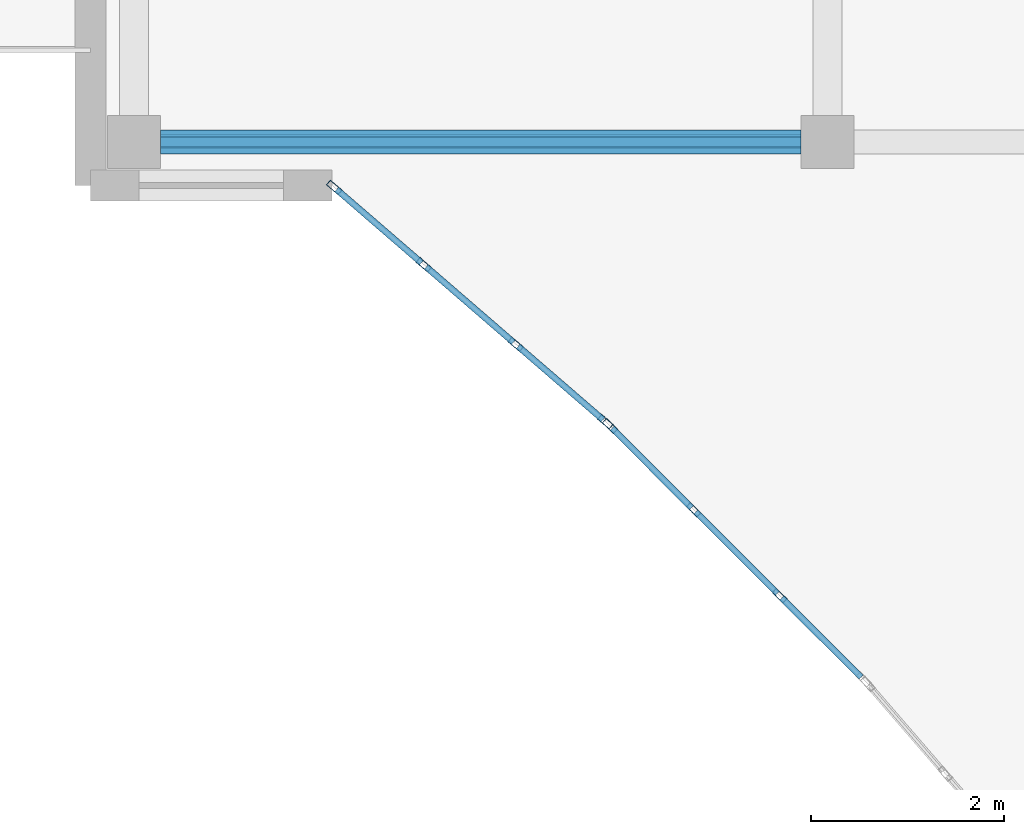
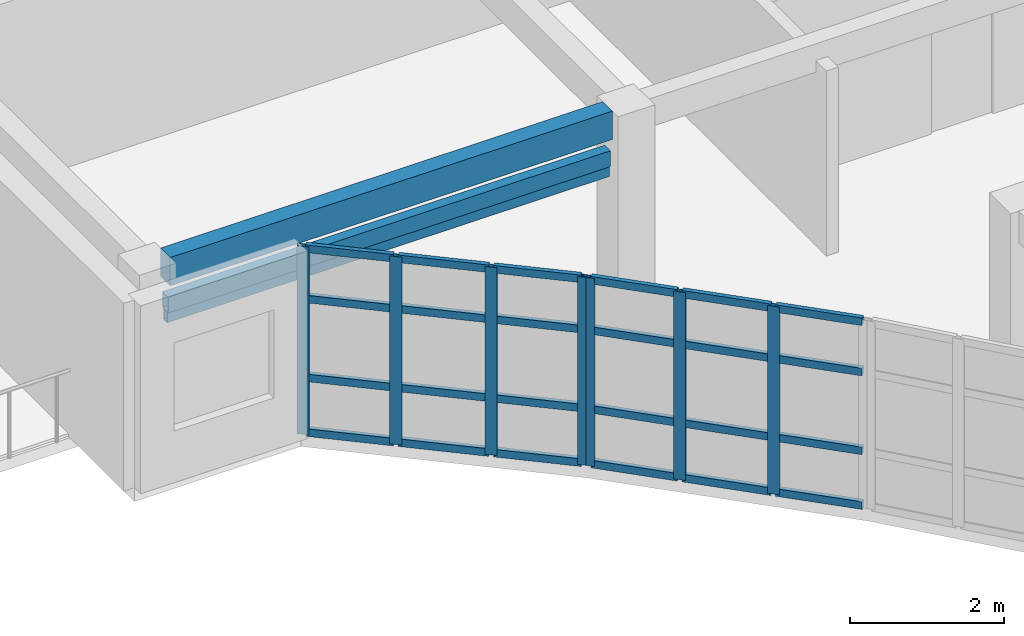
# One storey, part 7 of 49: 33 members, 1 beam, 2 elements without a shape of their own.
"""IFC4 building model written with IfcOpenShell, lengths in metres."""

from ifc_helpers import new_model, si_unit, direction, frame, origin, origin_2d, place, context, subcontext, project, spatial, rectangle, hollow_rectangle, extrude, material, layer, layer_set, material_profile, profile_set, type_object, element, aggregate, save


model = new_model("IFC4")

# Units and contexts
model_context = context("Model", 3, precision=1e-05, world=origin(), true_north=direction((0.0, 1.0)))
body_context = subcontext(model_context, "Body", "Model", "MODEL_VIEW")
ifc_project = project(units=[si_unit("LENGTHUNIT", "METRE"), si_unit("AREAUNIT", "SQUARE_METRE"), si_unit("VOLUMEUNIT", "CUBIC_METRE"), si_unit("PLANEANGLEUNIT", "RADIAN"), si_unit("MASSUNIT", "GRAM", prefix="KILO")], contexts=[model_context])

# Site, building, storey
site_placement = place(None, origin())
site = spatial("IfcSite", under=ifc_project, at=site_placement, CompositionType="ELEMENT")
building_placement = place(site_placement, origin())
building = spatial("IfcBuilding", under=site, at=building_placement, Name="Keldmere Railside Commons", CompositionType="ELEMENT")
storey_placement = place(building_placement, frame((0.0, 0.0, 29.760009765625)))
storey = spatial("IfcBuildingStorey", under=building, at=storey_placement, Name="L09", CompositionType="ELEMENT", Elevation=29.760009765625)

# Member
ifc_material_1 = material(Name="Steel F-36 (S355)", Category="steel")
ifc_material_profile_1 = material_profile(ifc_material_1, hollow_rectangle(XDim=0.14990234375, YDim=0.25, WallThickness=0.010009765625, at=origin_2d()), Name="RHS-250x150x10")
ifc_profile_set_1 = profile_set([ifc_material_profile_1], Name="Steel F-36 (S355)")
member_type_1 = type_object("IfcMemberType", Name="Balcony Continuous Planted Trough RHS250x150", PredefinedType="CHORD", material=ifc_profile_set_1)
member_1_placement = place(storey_placement, frame((94.22509765625, 100.449951171875, 2.4150390625), z_axis=(1.0, 0.0, 0.0), x_axis=(0.0, 1.0, 0.0)))
element("IfcMember", 1, at=member_1_placement, inside=storey, type_object=member_type_1, Name="PLT-1 MEM-BPLT-0945", PredefinedType="CHORD", context=body_context, shape_type="SweptSolid", body=[
    extrude(hollow_rectangle(XDim=0.14990234375, YDim=0.25, WallThickness=0.010009765625, at=origin_2d()), origin(), (0.0, 0.0, 1.0), 6.6328125),
])

# Beam
ifc_material_2 = material(Name="Architectural Precast Concrete H-35 (C35/45)", Category="concrete")
ifc_material_profile_2 = material_profile(ifc_material_2, rectangle(XDim=0.25, YDim=0.449951171875, at=origin_2d()), Name="RC-250x450")
ifc_profile_set_2 = profile_set([ifc_material_profile_2], Name="Architectural Precast Concrete H-35 (C35/45)")
beam_type = type_object("IfcBeamType", Name="Perimeter Precast Spandrel Beam 250x450", PredefinedType="SPANDREL", material=ifc_profile_set_2)
beam_placement = place(storey_placement, frame((94.22509765625, 100.449951171875, 2.97509765625), z_axis=(1.0, 0.0, 0.0), x_axis=(0.0, 1.0, 0.0)))
element("IfcBeam", 2, at=beam_placement, inside=storey, type_object=beam_type, Name="SPB-1 BM-L09-2295", PredefinedType="SPANDREL", context=body_context, shape_type="SweptSolid", body=[
    extrude(rectangle(XDim=0.25, YDim=0.449951171875, at=origin_2d()), origin(), (0.0, 0.0, 1.0), 6.6328125),
])

# Member
ifc_material_profile_3 = material_profile(ifc_material_1, hollow_rectangle(XDim=0.10009765625, YDim=0.159912109375, WallThickness=0.008056640625, at=origin_2d()), Name="RHS-160x100x8")
ifc_profile_set_3 = profile_set([ifc_material_profile_3], Name="Steel F-36 (S355)")
member_type_2 = type_object("IfcMemberType", Name="Solar Brise-Soleil Louvre Fin RHS160x100", PredefinedType="STRUT", material=ifc_profile_set_3)
member_2_placement = place(storey_placement, frame((94.22509765625, 100.449951171875, 2.199951171875), z_axis=(1.0, 0.0, 0.0), x_axis=(0.0, 1.0, 0.0)))
element("IfcMember", 3, at=member_2_placement, inside=storey, type_object=member_type_2, Name="BSF-1 MEM-BSF-0946", PredefinedType="STRUT", context=body_context, shape_type="SweptSolid", body=[
    extrude(hollow_rectangle(XDim=0.10009765625, YDim=0.159912109375, WallThickness=0.008056640625, at=origin_2d()), origin(), (0.0, 0.0, 1.0), 6.6328125),
])

# Curtain wall, members
ifc_material_3 = material(Name="Thermally Broken Aluminium", Category="aluminium")
ifc_layer_1 = layer(ifc_material_3, 0.159912109375, Name="Court Chord Wintergarden CW 4800x2850")
ifc_layer_set_1 = layer_set([ifc_layer_1], Name="Thermally Broken Aluminium")
curtain_wall_type_1 = type_object("IfcCurtainWallType", Name="Court Chord Wintergarden CW 4800x2850", PredefinedType="NOTDEFINED", material=ifc_layer_set_1)
curtain_wall_1_placement = place(storey_placement, origin())
curtain_wall_1 = element("IfcCurtainWall", 4, at=curtain_wall_1_placement, inside=storey, type_object=curtain_wall_type_1, Name="CW-12 CW-L09-142", PredefinedType="NOTDEFINED")
ifc_material_profile_4 = material_profile(ifc_material_3, hollow_rectangle(XDim=0.06494140625, YDim=0.159912109375, WallThickness=0.00390625, at=origin_2d()), Name="ALU-MULL-65x160")
ifc_profile_set_4 = profile_set([ifc_material_profile_4], Name="Thermally Broken Aluminium")
member_type_3 = type_object("IfcMemberType", Name="Unitised Curtain Wall Mullion 65x160", PredefinedType="MULLION", material=ifc_profile_set_4)
member_3_placement = place(storey_placement, frame((98.83349609375, 97.55126953125, 0.0), z_axis=(0.0, 0.0, 1.0), x_axis=(-0.653881741053, -0.756596767584, 0.0)))
member_3 = element("IfcMember", 5, at=member_3_placement, type_object=member_type_3, Name="CW-12 mullion 1", PredefinedType="MULLION", context=body_context, shape_type="SweptSolid", body=[
    extrude(hollow_rectangle(XDim=0.06494140625, YDim=0.159912109375, WallThickness=0.00390625, at=origin_2d()), origin(), (0.0, 0.0, 1.0), 2.97998046875),
])
member_4_placement = place(storey_placement, frame((97.9052734375, 98.353271484375, 0.0), z_axis=(0.0, 0.0, 1.0), x_axis=(-0.653881741053, -0.756596767584, 0.0)))
member_4 = element("IfcMember", 6, at=member_4_placement, type_object=member_type_3, Name="CW-12 mullion 2", PredefinedType="MULLION", context=body_context, shape_type="SweptSolid", body=[
    extrude(hollow_rectangle(XDim=0.06494140625, YDim=0.159912109375, WallThickness=0.00390625, at=origin_2d()), origin(), (0.0, 0.0, 1.0), 2.97998046875),
])
member_5_placement = place(storey_placement, frame((96.95263671875, 99.1767578125, 0.0), z_axis=(0.0, 0.0, 1.0), x_axis=(-0.653881741053, -0.756596767584, 0.0)))
member_5 = element("IfcMember", 7, at=member_5_placement, type_object=member_type_3, Name="CW-12 mullion 3", PredefinedType="MULLION", context=body_context, shape_type="SweptSolid", body=[
    extrude(hollow_rectangle(XDim=0.06494140625, YDim=0.159912109375, WallThickness=0.00390625, at=origin_2d()), origin(), (0.0, 0.0, 1.0), 2.97998046875),
])
member_6_placement = place(storey_placement, frame((96.024658203125, 99.978759765625, 0.0), z_axis=(0.0, 0.0, 1.0), x_axis=(-0.653881741053, -0.756596767584, 0.0)))
member_6 = element("IfcMember", 8, at=member_6_placement, type_object=member_type_3, Name="CW-12 mullion 4", PredefinedType="MULLION", context=body_context, shape_type="SweptSolid", body=[
    extrude(hollow_rectangle(XDim=0.06494140625, YDim=0.159912109375, WallThickness=0.00390625, at=origin_2d()), origin(), (0.0, 0.0, 1.0), 2.97998046875),
])

ifc_layer_2 = layer(ifc_material_3, 0.159912109375, Name="Court Chord Wintergarden CW 5400x2850")
ifc_layer_set_2 = layer_set([ifc_layer_2], Name="Thermally Broken Aluminium")
curtain_wall_type_2 = type_object("IfcCurtainWallType", Name="Court Chord Wintergarden CW 5400x2850", PredefinedType="NOTDEFINED", material=ifc_layer_set_2)
curtain_wall_2_placement = place(storey_placement, origin())
curtain_wall_2 = element("IfcCurtainWall", 9, at=curtain_wall_2_placement, inside=storey, type_object=curtain_wall_type_2, Name="CW-13 CW-L09-143", PredefinedType="NOTDEFINED")
member_7_placement = place(storey_placement, frame((100.639404296875, 95.748779296875, 0.0), z_axis=(0.0, 0.0, 1.0), x_axis=(-0.707106781187, -0.707106781187, 0.0)))
member_7 = element("IfcMember", 10, at=member_7_placement, type_object=member_type_3, Name="CW-13 mullion 2", PredefinedType="MULLION", context=body_context, shape_type="SweptSolid", body=[
    extrude(hollow_rectangle(XDim=0.06494140625, YDim=0.159912109375, WallThickness=0.00390625, at=origin_2d()), origin(), (0.0, 0.0, 1.0), 2.97998046875),
])
member_8_placement = place(storey_placement, frame((99.748779296875, 96.639404296875, 0.0), z_axis=(0.0, 0.0, 1.0), x_axis=(-0.707106781187, -0.707106781187, 0.0)))
member_8 = element("IfcMember", 11, at=member_8_placement, type_object=member_type_3, Name="CW-13 mullion 3", PredefinedType="MULLION", context=body_context, shape_type="SweptSolid", body=[
    extrude(hollow_rectangle(XDim=0.06494140625, YDim=0.159912109375, WallThickness=0.00390625, at=origin_2d()), origin(), (0.0, 0.0, 1.0), 2.97998046875),
])
member_9_placement = place(storey_placement, frame((98.880859375, 97.507080078125, 0.0), z_axis=(0.0, 0.0, 1.0), x_axis=(-0.707106781187, -0.707106781187, 0.0)))
member_9 = element("IfcMember", 12, at=member_9_placement, type_object=member_type_3, Name="CW-13 mullion 4", PredefinedType="MULLION", context=body_context, shape_type="SweptSolid", body=[
    extrude(hollow_rectangle(XDim=0.06494140625, YDim=0.159912109375, WallThickness=0.00390625, at=origin_2d()), origin(), (0.0, 0.0, 1.0), 2.97998046875),
])

# Member
ifc_material_profile_5 = material_profile(ifc_material_3, hollow_rectangle(XDim=0.06494140625, YDim=0.1201171875, WallThickness=0.00390625, at=origin_2d()), Name="ALU-TRAN-65x120")
ifc_profile_set_5 = profile_set([ifc_material_profile_5], Name="Thermally Broken Aluminium")
member_type_4 = type_object("IfcMemberType", Name="Unitised Curtain Wall Transom 65x120", PredefinedType="USERDEFINED", material=ifc_profile_set_5)
member_10_placement = place(storey_placement, frame((98.808837890625, 97.572509765625, 0.032470703125), z_axis=(-0.756624489527, 0.653849663033, 0.0), x_axis=(-0.653849663033, -0.756624489527, 0.0)))
member_10 = element("IfcMember", 13, at=member_10_placement, type_object=member_type_4, Name="CW-12 transom 1.1", ObjectType="TRANSOM", PredefinedType="USERDEFINED", context=body_context, shape_type="SweptSolid", body=[
    extrude(hollow_rectangle(XDim=0.06494140625, YDim=0.1201171875, WallThickness=0.00390625, at=origin_2d()), origin(), (0.0, 0.0, 1.0), 1.16162109375),
])

member_11_placement = place(storey_placement, frame((98.808837890625, 97.572509765625, 0.89990234375), z_axis=(-0.756624489527, 0.653849663033, 0.0), x_axis=(-0.653849663033, -0.756624489527, 0.0)))
member_11 = element("IfcMember", 14, at=member_11_placement, type_object=member_type_4, Name="CW-12 transom 1.2", ObjectType="TRANSOM", PredefinedType="USERDEFINED", context=body_context, shape_type="SweptSolid", body=[
    extrude(hollow_rectangle(XDim=0.06494140625, YDim=0.1201171875, WallThickness=0.00390625, at=origin_2d()), origin(), (0.0, 0.0, 1.0), 1.16162109375),
])

member_12_placement = place(storey_placement, frame((98.808837890625, 97.572509765625, 2.14990234375), z_axis=(-0.756624489527, 0.653849663033, 0.0), x_axis=(-0.653849663033, -0.756624489527, 0.0)))
member_12 = element("IfcMember", 15, at=member_12_placement, type_object=member_type_4, Name="CW-12 transom 1.3", ObjectType="TRANSOM", PredefinedType="USERDEFINED", context=body_context, shape_type="SweptSolid", body=[
    extrude(hollow_rectangle(XDim=0.06494140625, YDim=0.1201171875, WallThickness=0.00390625, at=origin_2d()), origin(), (0.0, 0.0, 1.0), 1.16162109375),
])

member_13_placement = place(storey_placement, frame((98.808837890625, 97.572509765625, 2.947509765625), z_axis=(-0.756624489527, 0.653849663033, 0.0), x_axis=(-0.653849663033, -0.756624489527, 0.0)))
member_13 = element("IfcMember", 16, at=member_13_placement, type_object=member_type_4, Name="CW-12 transom 1.4", ObjectType="TRANSOM", PredefinedType="USERDEFINED", context=body_context, shape_type="SweptSolid", body=[
    extrude(hollow_rectangle(XDim=0.06494140625, YDim=0.1201171875, WallThickness=0.00390625, at=origin_2d()), origin(), (0.0, 0.0, 1.0), 1.16162109375),
])

member_14_placement = place(storey_placement, frame((97.880859375, 98.37451171875, 0.032470703125), z_axis=(-0.756551755881, 0.653933819796, 0.0), x_axis=(-0.653933819796, -0.756551755881, 0.0)))
member_14 = element("IfcMember", 17, at=member_14_placement, type_object=member_type_4, Name="CW-12 transom 2.1", ObjectType="TRANSOM", PredefinedType="USERDEFINED", context=body_context, shape_type="SweptSolid", body=[
    extrude(hollow_rectangle(XDim=0.06494140625, YDim=0.1201171875, WallThickness=0.00390625, at=origin_2d()), origin(), (0.0, 0.0, 1.0), 1.1943359375),
])

member_15_placement = place(storey_placement, frame((97.880859375, 98.37451171875, 0.89990234375), z_axis=(-0.756551755881, 0.653933819796, 0.0), x_axis=(-0.653933819796, -0.756551755881, 0.0)))
member_15 = element("IfcMember", 18, at=member_15_placement, type_object=member_type_4, Name="CW-12 transom 2.2", ObjectType="TRANSOM", PredefinedType="USERDEFINED", context=body_context, shape_type="SweptSolid", body=[
    extrude(hollow_rectangle(XDim=0.06494140625, YDim=0.1201171875, WallThickness=0.00390625, at=origin_2d()), origin(), (0.0, 0.0, 1.0), 1.1943359375),
])

member_16_placement = place(storey_placement, frame((97.880859375, 98.37451171875, 2.14990234375), z_axis=(-0.756551755881, 0.653933819796, 0.0), x_axis=(-0.653933819796, -0.756551755881, 0.0)))
member_16 = element("IfcMember", 19, at=member_16_placement, type_object=member_type_4, Name="CW-12 transom 2.3", ObjectType="TRANSOM", PredefinedType="USERDEFINED", context=body_context, shape_type="SweptSolid", body=[
    extrude(hollow_rectangle(XDim=0.06494140625, YDim=0.1201171875, WallThickness=0.00390625, at=origin_2d()), origin(), (0.0, 0.0, 1.0), 1.1943359375),
])

member_17_placement = place(storey_placement, frame((97.880859375, 98.37451171875, 2.947509765625), z_axis=(-0.756551755881, 0.653933819796, 0.0), x_axis=(-0.653933819796, -0.756551755881, 0.0)))
member_17 = element("IfcMember", 20, at=member_17_placement, type_object=member_type_4, Name="CW-12 transom 2.4", ObjectType="TRANSOM", PredefinedType="USERDEFINED", context=body_context, shape_type="SweptSolid", body=[
    extrude(hollow_rectangle(XDim=0.06494140625, YDim=0.1201171875, WallThickness=0.00390625, at=origin_2d()), origin(), (0.0, 0.0, 1.0), 1.1943359375),
])

member_18_placement = place(storey_placement, frame((96.927978515625, 99.197998046875, 0.032470703125), z_axis=(-0.756624489527, 0.653849663033, 0.0), x_axis=(-0.653849663033, -0.756624489527, 0.0)))
member_18 = element("IfcMember", 21, at=member_18_placement, type_object=member_type_4, Name="CW-12 transom 3.1", ObjectType="TRANSOM", PredefinedType="USERDEFINED", context=body_context, shape_type="SweptSolid", body=[
    extrude(hollow_rectangle(XDim=0.06494140625, YDim=0.1201171875, WallThickness=0.00390625, at=origin_2d()), origin(), (0.0, 0.0, 1.0), 1.16162109375),
])

member_19_placement = place(storey_placement, frame((96.927978515625, 99.197998046875, 0.89990234375), z_axis=(-0.756624489527, 0.653849663033, 0.0), x_axis=(-0.653849663033, -0.756624489527, 0.0)))
member_19 = element("IfcMember", 22, at=member_19_placement, type_object=member_type_4, Name="CW-12 transom 3.2", ObjectType="TRANSOM", PredefinedType="USERDEFINED", context=body_context, shape_type="SweptSolid", body=[
    extrude(hollow_rectangle(XDim=0.06494140625, YDim=0.1201171875, WallThickness=0.00390625, at=origin_2d()), origin(), (0.0, 0.0, 1.0), 1.16162109375),
])

member_20_placement = place(storey_placement, frame((96.927978515625, 99.197998046875, 2.14990234375), z_axis=(-0.756624489527, 0.653849663033, 0.0), x_axis=(-0.653849663033, -0.756624489527, 0.0)))
member_20 = element("IfcMember", 23, at=member_20_placement, type_object=member_type_4, Name="CW-12 transom 3.3", ObjectType="TRANSOM", PredefinedType="USERDEFINED", context=body_context, shape_type="SweptSolid", body=[
    extrude(hollow_rectangle(XDim=0.06494140625, YDim=0.1201171875, WallThickness=0.00390625, at=origin_2d()), origin(), (0.0, 0.0, 1.0), 1.16162109375),
])

member_21_placement = place(storey_placement, frame((96.927978515625, 99.197998046875, 2.947509765625), z_axis=(-0.756624489527, 0.653849663033, 0.0), x_axis=(-0.653849663033, -0.756624489527, 0.0)))
member_21 = element("IfcMember", 24, at=member_21_placement, type_object=member_type_4, Name="CW-12 transom 3.4", ObjectType="TRANSOM", PredefinedType="USERDEFINED", context=body_context, shape_type="SweptSolid", body=[
    extrude(hollow_rectangle(XDim=0.06494140625, YDim=0.1201171875, WallThickness=0.00390625, at=origin_2d()), origin(), (0.0, 0.0, 1.0), 1.16162109375),
])

aggregate(curtain_wall_1, [member_3, member_4, member_5, member_6, member_10, member_11, member_12, member_13, member_14, member_15, member_16, member_17, member_18, member_19, member_20, member_21])

member_22_placement = place(storey_placement, frame((101.484130859375, 94.904052734375, 0.032470703125), z_axis=(-0.707211825645, 0.707001721121, 0.0), x_axis=(-0.707001721121, -0.707211825645, 0.0)))
member_22 = element("IfcMember", 25, at=member_22_placement, type_object=member_type_4, Name="CW-13 transom 1.1", ObjectType="TRANSOM", PredefinedType="USERDEFINED", context=body_context, shape_type="SweptSolid", body=[
    extrude(hollow_rectangle(XDim=0.06494140625, YDim=0.1201171875, WallThickness=0.00390625, at=origin_2d()), origin(), (0.0, 0.0, 1.0), 1.162109375),
])

member_23_placement = place(storey_placement, frame((101.484130859375, 94.904052734375, 0.89990234375), z_axis=(-0.707211825645, 0.707001721121, 0.0), x_axis=(-0.707001721121, -0.707211825645, 0.0)))
member_23 = element("IfcMember", 26, at=member_23_placement, type_object=member_type_4, Name="CW-13 transom 1.2", ObjectType="TRANSOM", PredefinedType="USERDEFINED", context=body_context, shape_type="SweptSolid", body=[
    extrude(hollow_rectangle(XDim=0.06494140625, YDim=0.1201171875, WallThickness=0.00390625, at=origin_2d()), origin(), (0.0, 0.0, 1.0), 1.162109375),
])

member_24_placement = place(storey_placement, frame((101.484130859375, 94.904052734375, 2.14990234375), z_axis=(-0.707211825645, 0.707001721121, 0.0), x_axis=(-0.707001721121, -0.707211825645, 0.0)))
member_24 = element("IfcMember", 27, at=member_24_placement, type_object=member_type_4, Name="CW-13 transom 1.3", ObjectType="TRANSOM", PredefinedType="USERDEFINED", context=body_context, shape_type="SweptSolid", body=[
    extrude(hollow_rectangle(XDim=0.06494140625, YDim=0.1201171875, WallThickness=0.00390625, at=origin_2d()), origin(), (0.0, 0.0, 1.0), 1.162109375),
])

member_25_placement = place(storey_placement, frame((101.484130859375, 94.904052734375, 2.947509765625), z_axis=(-0.707211825645, 0.707001721121, 0.0), x_axis=(-0.707001721121, -0.707211825645, 0.0)))
member_25 = element("IfcMember", 28, at=member_25_placement, type_object=member_type_4, Name="CW-13 transom 1.4", ObjectType="TRANSOM", PredefinedType="USERDEFINED", context=body_context, shape_type="SweptSolid", body=[
    extrude(hollow_rectangle(XDim=0.06494140625, YDim=0.1201171875, WallThickness=0.00390625, at=origin_2d()), origin(), (0.0, 0.0, 1.0), 1.162109375),
])

member_26_placement = place(storey_placement, frame((100.616455078125, 95.771728515625, 0.032470703125), z_axis=(-0.707106781187, 0.707106781187, 0.0), x_axis=(-0.707106781187, -0.707106781187, 0.0)))
member_26 = element("IfcMember", 29, at=member_26_placement, type_object=member_type_4, Name="CW-13 transom 2.1", ObjectType="TRANSOM", PredefinedType="USERDEFINED", context=body_context, shape_type="SweptSolid", body=[
    extrude(hollow_rectangle(XDim=0.06494140625, YDim=0.1201171875, WallThickness=0.00390625, at=origin_2d()), origin(), (0.0, 0.0, 1.0), 1.194580078125),
])

member_27_placement = place(storey_placement, frame((100.616455078125, 95.771728515625, 0.89990234375), z_axis=(-0.707106781187, 0.707106781187, 0.0), x_axis=(-0.707106781187, -0.707106781187, 0.0)))
member_27 = element("IfcMember", 30, at=member_27_placement, type_object=member_type_4, Name="CW-13 transom 2.2", ObjectType="TRANSOM", PredefinedType="USERDEFINED", context=body_context, shape_type="SweptSolid", body=[
    extrude(hollow_rectangle(XDim=0.06494140625, YDim=0.1201171875, WallThickness=0.00390625, at=origin_2d()), origin(), (0.0, 0.0, 1.0), 1.194580078125),
])

member_28_placement = place(storey_placement, frame((100.616455078125, 95.771728515625, 2.14990234375), z_axis=(-0.707106781187, 0.707106781187, 0.0), x_axis=(-0.707106781187, -0.707106781187, 0.0)))
member_28 = element("IfcMember", 31, at=member_28_placement, type_object=member_type_4, Name="CW-13 transom 2.3", ObjectType="TRANSOM", PredefinedType="USERDEFINED", context=body_context, shape_type="SweptSolid", body=[
    extrude(hollow_rectangle(XDim=0.06494140625, YDim=0.1201171875, WallThickness=0.00390625, at=origin_2d()), origin(), (0.0, 0.0, 1.0), 1.194580078125),
])

member_29_placement = place(storey_placement, frame((100.616455078125, 95.771728515625, 2.947509765625), z_axis=(-0.707106781187, 0.707106781187, 0.0), x_axis=(-0.707106781187, -0.707106781187, 0.0)))
member_29 = element("IfcMember", 32, at=member_29_placement, type_object=member_type_4, Name="CW-13 transom 2.4", ObjectType="TRANSOM", PredefinedType="USERDEFINED", context=body_context, shape_type="SweptSolid", body=[
    extrude(hollow_rectangle(XDim=0.06494140625, YDim=0.1201171875, WallThickness=0.00390625, at=origin_2d()), origin(), (0.0, 0.0, 1.0), 1.194580078125),
])

member_30_placement = place(storey_placement, frame((99.7255859375, 96.662353515625, 0.032470703125), z_axis=(-0.707001721121, 0.707211825645, 0.0), x_axis=(-0.707211825645, -0.707001721121, 0.0)))
member_30 = element("IfcMember", 33, at=member_30_placement, type_object=member_type_4, Name="CW-13 transom 3.1", ObjectType="TRANSOM", PredefinedType="USERDEFINED", context=body_context, shape_type="SweptSolid", body=[
    extrude(hollow_rectangle(XDim=0.06494140625, YDim=0.1201171875, WallThickness=0.00390625, at=origin_2d()), origin(), (0.0, 0.0, 1.0), 1.162109375),
])

member_31_placement = place(storey_placement, frame((99.7255859375, 96.662353515625, 0.89990234375), z_axis=(-0.707001721121, 0.707211825645, 0.0), x_axis=(-0.707211825645, -0.707001721121, 0.0)))
member_31 = element("IfcMember", 34, at=member_31_placement, type_object=member_type_4, Name="CW-13 transom 3.2", ObjectType="TRANSOM", PredefinedType="USERDEFINED", context=body_context, shape_type="SweptSolid", body=[
    extrude(hollow_rectangle(XDim=0.06494140625, YDim=0.1201171875, WallThickness=0.00390625, at=origin_2d()), origin(), (0.0, 0.0, 1.0), 1.162109375),
])

member_32_placement = place(storey_placement, frame((99.7255859375, 96.662353515625, 2.14990234375), z_axis=(-0.707001721121, 0.707211825645, 0.0), x_axis=(-0.707211825645, -0.707001721121, 0.0)))
member_32 = element("IfcMember", 35, at=member_32_placement, type_object=member_type_4, Name="CW-13 transom 3.3", ObjectType="TRANSOM", PredefinedType="USERDEFINED", context=body_context, shape_type="SweptSolid", body=[
    extrude(hollow_rectangle(XDim=0.06494140625, YDim=0.1201171875, WallThickness=0.00390625, at=origin_2d()), origin(), (0.0, 0.0, 1.0), 1.162109375),
])

member_33_placement = place(storey_placement, frame((99.7255859375, 96.662353515625, 2.947509765625), z_axis=(-0.707001721121, 0.707211825645, 0.0), x_axis=(-0.707211825645, -0.707001721121, 0.0)))
member_33 = element("IfcMember", 36, at=member_33_placement, type_object=member_type_4, Name="CW-13 transom 3.4", ObjectType="TRANSOM", PredefinedType="USERDEFINED", context=body_context, shape_type="SweptSolid", body=[
    extrude(hollow_rectangle(XDim=0.06494140625, YDim=0.1201171875, WallThickness=0.00390625, at=origin_2d()), origin(), (0.0, 0.0, 1.0), 1.162109375),
])

aggregate(curtain_wall_2, [member_7, member_8, member_9, member_22, member_23, member_24, member_25, member_26, member_27, member_28, member_29, member_30, member_31, member_32, member_33])

save(model, "model.ifc")
